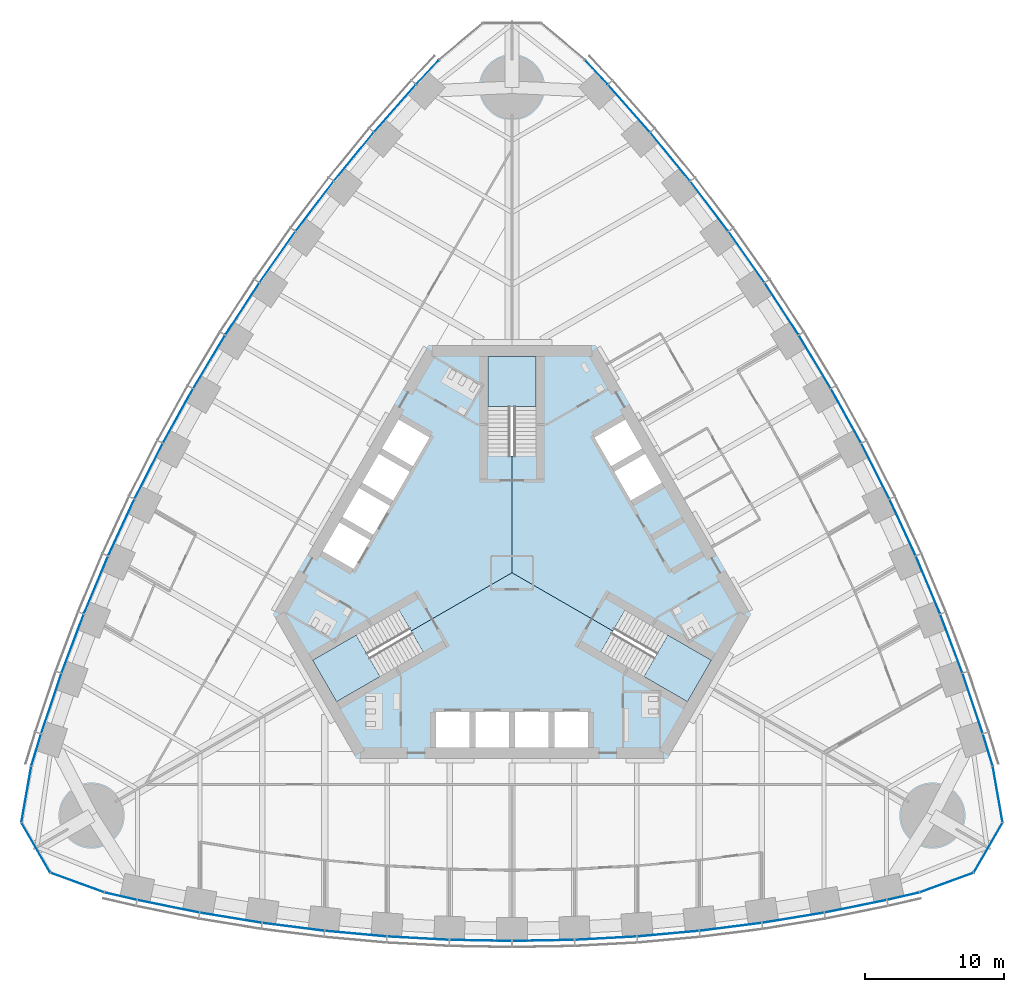
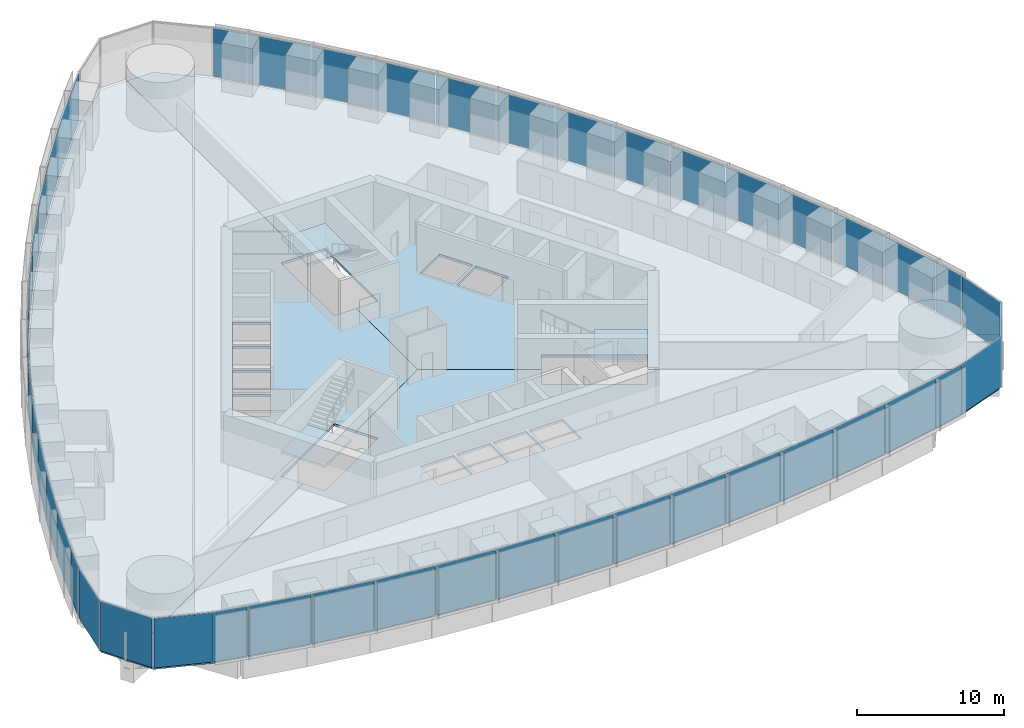
# One storey, part 9 of 18: 48 plates, 6 slabs, 8 elements without a shape of their own.
"""IFC4 building model written with IfcOpenShell, lengths in metres."""

from ifc_helpers import new_model, si_unit, direction, frame, origin, origin_2d, place, context, subcontext, project, spatial, polyline, rectangle, outline, extrude, material, layer, layer_set, type_object, element, aggregate, save


model = new_model("IFC4")

# Units and contexts
model_context = context("Model", 3, precision=1e-05, world=origin(), true_north=direction((0.0, 1.0)))
body_context = subcontext(model_context, "Body", "Model", "MODEL_VIEW")
ifc_project = project(units=[si_unit("LENGTHUNIT", "METRE"), si_unit("AREAUNIT", "SQUARE_METRE"), si_unit("VOLUMEUNIT", "CUBIC_METRE"), si_unit("PLANEANGLEUNIT", "RADIAN"), si_unit("MASSUNIT", "GRAM", prefix="KILO")], contexts=[model_context])

# Site, building, storey
site_placement = place(None, origin())
site = spatial("IfcSite", under=ifc_project, at=site_placement, CompositionType="ELEMENT")
building_placement = place(site_placement, origin())
building = spatial("IfcBuilding", under=site, at=building_placement, Name="Trefoil Bronze Tower", CompositionType="ELEMENT")
storey_placement = place(building_placement, frame((0.0, 0.0, 111.5)))
storey = spatial("IfcBuildingStorey", under=building, at=storey_placement, Name="L25", CompositionType="ELEMENT", Elevation=111.5)

# Curtain wall, plates
ifc_material_1 = material(Name="Tinted solar-control glass", Category="glass")
curtain_wall_type_1 = type_object("IfcCurtainWallType", Name="Bronze office curtain wall", PredefinedType="USERDEFINED", material=ifc_material_1)
curtain_wall_1_placement = place(storey_placement, origin())
curtain_wall_1 = element("IfcCurtainWall", 1, at=curtain_wall_1_placement, inside=storey, type_object=curtain_wall_type_1, Name="CW-A L25 F1", ObjectType="CURTAIN WALL", PredefinedType="USERDEFINED")
ifc_material_2 = material(Name="Tinted solar-control glass", Category="glass")
ifc_layer_1 = layer(ifc_material_2, 0.030029296875)
ifc_layer_set_1 = layer_set([ifc_layer_1], Name="Bronze office curtain wall glass panel")
plate_type_1 = type_object("IfcPlateType", Name="Bronze office curtain wall glass panel", PredefinedType="CURTAIN_PANEL", material=ifc_layer_set_1)
plate_1_placement = place(storey_placement, frame((-28.201416015625, -23.320068359375, 0.0), z_axis=(0.0, 0.0, 1.0), x_axis=(0.97420444715, -0.225667222151, 0.0)))
plate_1 = element("IfcPlate", 2, at=plate_1_placement, type_object=plate_type_1, Name="CW-A L25 F1 panel 1", PredefinedType="CURTAIN_PANEL", context=body_context, shape_type="SweptSolid", body=[
    extrude(rectangle(XDim=2.340087890625, YDim=0.030029296875, at=origin_2d()), origin(), (0.0, 0.0, 1.0), 4.080078125),
])
plate_2_placement = place(storey_placement, frame((-24.769775390625, -24.048828125, 0.0), z_axis=(0.0, 0.0, 1.0), x_axis=(0.980155155547, -0.198231861853, 0.0)))
plate_2 = element("IfcPlate", 3, at=plate_2_placement, type_object=plate_type_1, Name="CW-A L25 F1 panel 2", PredefinedType="CURTAIN_PANEL", context=body_context, shape_type="SweptSolid", body=[
    extrude(rectangle(XDim=4.51123046875, YDim=0.030029296875, at=origin_2d()), origin(), (0.0, 0.0, 1.0), 4.080078125),
])
plate_3_placement = place(storey_placement, frame((-20.26611328125, -24.87451171875, 0.0), z_axis=(0.0, 0.0, 1.0), x_axis=(0.986759655731, -0.162189339418, 0.0)))
plate_3 = element("IfcPlate", 4, at=plate_3_placement, type_object=plate_type_1, Name="CW-A L25 F1 panel 3", PredefinedType="CURTAIN_PANEL", context=body_context, shape_type="SweptSolid", body=[
    extrude(rectangle(XDim=4.48046875, YDim=0.030029296875, at=origin_2d()), origin(), (0.0, 0.0, 1.0), 4.080078125),
])
plate_4_placement = place(storey_placement, frame((-15.7626953125, -25.53076171875, 0.0), z_axis=(0.0, 0.0, 1.0), x_axis=(0.992011554286, -0.126147041833, 0.0)))
plate_4 = element("IfcPlate", 5, at=plate_4_placement, type_object=plate_type_1, Name="CW-A L25 F1 panel 4", PredefinedType="CURTAIN_PANEL", context=body_context, shape_type="SweptSolid", body=[
    extrude(rectangle(XDim=4.456298828125, YDim=0.030029296875, at=origin_2d()), origin(), (0.0, 0.0, 1.0), 4.080078125),
])
plate_5_placement = place(storey_placement, frame((-11.259033203125, -26.02099609375, 0.0), z_axis=(0.0, 0.0, 1.0), x_axis=(0.995932279146, -0.090104913044, 0.0)))
plate_5 = element("IfcPlate", 6, at=plate_5_placement, type_object=plate_type_1, Name="CW-A L25 F1 panel 5", PredefinedType="CURTAIN_PANEL", context=body_context, shape_type="SweptSolid", body=[
    extrude(rectangle(XDim=4.4384765625, YDim=0.030029296875, at=origin_2d()), origin(), (0.0, 0.0, 1.0), 4.080078125),
])
plate_6_placement = place(storey_placement, frame((-6.75537109375, -26.3466796875, 0.0), z_axis=(0.0, 0.0, 1.0), x_axis=(0.998537531923, -0.054062901701, 0.0)))
plate_6 = element("IfcPlate", 7, at=plate_6_placement, type_object=plate_type_1, Name="CW-A L25 F1 panel 6", PredefinedType="CURTAIN_PANEL", context=body_context, shape_type="SweptSolid", body=[
    extrude(rectangle(XDim=4.426513671875, YDim=0.030029296875, at=origin_2d()), origin(), (0.0, 0.0, 1.0), 4.080078125),
])
plate_7_placement = place(storey_placement, frame((-2.251708984375, -26.509033203125, 0.0), z_axis=(0.0, 0.0, 1.0), x_axis=(0.999837609322, -0.018020959612, 0.0)))
plate_7 = element("IfcPlate", 8, at=plate_7_placement, type_object=plate_type_1, Name="CW-A L25 F1 panel 7", PredefinedType="CURTAIN_PANEL", context=body_context, shape_type="SweptSolid", body=[
    extrude(rectangle(XDim=4.420654296875, YDim=0.030029296875, at=origin_2d()), origin(), (0.0, 0.0, 1.0), 4.080078125),
])
plate_8_placement = place(storey_placement, frame((2.251708984375, -26.509033203125, 0.0), z_axis=(0.0, 0.0, 1.0), x_axis=(0.999837609322, 0.018020959612, 0.0)))
plate_8 = element("IfcPlate", 9, at=plate_8_placement, type_object=plate_type_1, Name="CW-A L25 F1 panel 8", PredefinedType="CURTAIN_PANEL", context=body_context, shape_type="SweptSolid", body=[
    extrude(rectangle(XDim=4.420654296875, YDim=0.030029296875, at=origin_2d()), origin(), (0.0, 0.0, 1.0), 4.080078125),
])
plate_9_placement = place(storey_placement, frame((6.75537109375, -26.3466796875, 0.0), z_axis=(0.0, 0.0, 1.0), x_axis=(0.998537531923, 0.054062901701, 0.0)))
plate_9 = element("IfcPlate", 10, at=plate_9_placement, type_object=plate_type_1, Name="CW-A L25 F1 panel 9", PredefinedType="CURTAIN_PANEL", context=body_context, shape_type="SweptSolid", body=[
    extrude(rectangle(XDim=4.426513671875, YDim=0.030029296875, at=origin_2d()), origin(), (0.0, 0.0, 1.0), 4.080078125),
])
plate_10_placement = place(storey_placement, frame((11.259033203125, -26.02099609375, 0.0), z_axis=(0.0, 0.0, 1.0), x_axis=(0.995932279146, 0.090104913044, 0.0)))
plate_10 = element("IfcPlate", 11, at=plate_10_placement, type_object=plate_type_1, Name="CW-A L25 F1 panel 10", PredefinedType="CURTAIN_PANEL", context=body_context, shape_type="SweptSolid", body=[
    extrude(rectangle(XDim=4.4384765625, YDim=0.030029296875, at=origin_2d()), origin(), (0.0, 0.0, 1.0), 4.080078125),
])
plate_11_placement = place(storey_placement, frame((15.7626953125, -25.53076171875, 0.0), z_axis=(0.0, 0.0, 1.0), x_axis=(0.992011554286, 0.126147041833, 0.0)))
plate_11 = element("IfcPlate", 12, at=plate_11_placement, type_object=plate_type_1, Name="CW-A L25 F1 panel 11", PredefinedType="CURTAIN_PANEL", context=body_context, shape_type="SweptSolid", body=[
    extrude(rectangle(XDim=4.456298828125, YDim=0.030029296875, at=origin_2d()), origin(), (0.0, 0.0, 1.0), 4.080078125),
])
plate_12_placement = place(storey_placement, frame((20.26611328125, -24.87451171875, 0.0), z_axis=(0.0, 0.0, 1.0), x_axis=(0.986759655731, 0.162189339418, 0.0)))
plate_12 = element("IfcPlate", 13, at=plate_12_placement, type_object=plate_type_1, Name="CW-A L25 F1 panel 12", PredefinedType="CURTAIN_PANEL", context=body_context, shape_type="SweptSolid", body=[
    extrude(rectangle(XDim=4.48046875, YDim=0.030029296875, at=origin_2d()), origin(), (0.0, 0.0, 1.0), 4.080078125),
])
plate_13_placement = place(storey_placement, frame((24.769775390625, -24.048828125, 0.0), z_axis=(0.0, 0.0, 1.0), x_axis=(0.980155155547, 0.198231861853, 0.0)))
plate_13 = element("IfcPlate", 14, at=plate_13_placement, type_object=plate_type_1, Name="CW-A L25 F1 panel 13", PredefinedType="CURTAIN_PANEL", context=body_context, shape_type="SweptSolid", body=[
    extrude(rectangle(XDim=4.51123046875, YDim=0.030029296875, at=origin_2d()), origin(), (0.0, 0.0, 1.0), 4.080078125),
])
plate_14_placement = place(storey_placement, frame((28.201416015625, -23.320068359375, 0.0), z_axis=(0.0, 0.0, 1.0), x_axis=(0.97420444715, 0.225667222151, 0.0)))
plate_14 = element("IfcPlate", 15, at=plate_14_placement, type_object=plate_type_1, Name="CW-A L25 F1 panel 14", PredefinedType="CURTAIN_PANEL", context=body_context, shape_type="SweptSolid", body=[
    extrude(rectangle(XDim=2.340087890625, YDim=0.030029296875, at=origin_2d()), origin(), (0.0, 0.0, 1.0), 4.080078125),
])
aggregate(curtain_wall_1, [plate_1, plate_2, plate_3, plate_4, plate_5, plate_6, plate_7, plate_8, plate_9, plate_10, plate_11, plate_12, plate_13, plate_14])

curtain_wall_2_placement = place(storey_placement, origin())
curtain_wall_2 = element("IfcCurtainWall", 16, at=curtain_wall_2_placement, inside=storey, type_object=curtain_wall_type_1, Name="CW-A L25 F2", ObjectType="CURTAIN WALL", PredefinedType="USERDEFINED")
plate_15_placement = place(storey_placement, frame((34.296630859375, -12.762939453125, 0.0), z_axis=(0.0, 0.0, 1.0), x_axis=(-0.291668676391, 0.956519410787, 0.0)))
plate_15 = element("IfcPlate", 17, at=plate_15_placement, type_object=plate_type_1, Name="CW-A L25 F2 panel 1", PredefinedType="CURTAIN_PANEL", context=body_context, shape_type="SweptSolid", body=[
    extrude(rectangle(XDim=2.340087890625, YDim=0.030029296875, at=origin_2d()), origin(), (0.0, 0.0, 1.0), 4.080078125),
])
plate_16_placement = place(storey_placement, frame((33.2119140625, -9.4267578125, 0.0), z_axis=(0.0, 0.0, 1.0), x_axis=(-0.318403749569, 0.947955195281, 0.0)))
plate_16 = element("IfcPlate", 18, at=plate_16_placement, type_object=plate_type_1, Name="CW-A L25 F2 panel 2", PredefinedType="CURTAIN_PANEL", context=body_context, shape_type="SweptSolid", body=[
    extrude(rectangle(XDim=4.51123046875, YDim=0.030029296875, at=origin_2d()), origin(), (0.0, 0.0, 1.0), 4.080078125),
])
plate_17_placement = place(storey_placement, frame((31.675048828125, -5.11376953125, 0.0), z_axis=(0.0, 0.0, 1.0), x_axis=(-0.352919739707, 0.935653599002, 0.0)))
plate_17 = element("IfcPlate", 19, at=plate_17_placement, type_object=plate_type_1, Name="CW-A L25 F2 panel 3", PredefinedType="CURTAIN_PANEL", context=body_context, shape_type="SweptSolid", body=[
    extrude(rectangle(XDim=4.48046875, YDim=0.030029296875, at=origin_2d()), origin(), (0.0, 0.0, 1.0), 4.080078125),
])
plate_18_placement = place(storey_placement, frame((29.99169921875, -0.885498046875, 0.0), z_axis=(0.0, 0.0, 1.0), x_axis=(-0.386759234303, 0.922180727776, 0.0)))
plate_18 = element("IfcPlate", 20, at=plate_18_placement, type_object=plate_type_1, Name="CW-A L25 F2 panel 4", PredefinedType="CURTAIN_PANEL", context=body_context, shape_type="SweptSolid", body=[
    extrude(rectangle(XDim=4.456298828125, YDim=0.030029296875, at=origin_2d()), origin(), (0.0, 0.0, 1.0), 4.080078125),
])
plate_19_placement = place(storey_placement, frame((28.164306640625, 3.260009765625, 0.0), z_axis=(0.0, 0.0, 1.0), x_axis=(-0.419932995871, 0.907555110712, 0.0)))
plate_19 = element("IfcPlate", 21, at=plate_19_placement, type_object=plate_type_1, Name="CW-A L25 F2 panel 5", PredefinedType="CURTAIN_PANEL", context=body_context, shape_type="SweptSolid", body=[
    extrude(rectangle(XDim=4.4384765625, YDim=0.030029296875, at=origin_2d()), origin(), (0.0, 0.0, 1.0), 4.080078125),
])
plate_20_placement = place(storey_placement, frame((26.194580078125, 7.322998046875, 0.0), z_axis=(0.0, 0.0, 1.0), x_axis=(-0.452448919686, 0.891790320128, 0.0)))
plate_20 = element("IfcPlate", 22, at=plate_20_placement, type_object=plate_type_1, Name="CW-A L25 F2 panel 6", PredefinedType="CURTAIN_PANEL", context=body_context, shape_type="SweptSolid", body=[
    extrude(rectangle(XDim=4.426513671875, YDim=0.030029296875, at=origin_2d()), origin(), (0.0, 0.0, 1.0), 4.080078125),
])
plate_21_placement = place(storey_placement, frame((24.08349609375, 11.304443359375, 0.0), z_axis=(0.0, 0.0, 1.0), x_axis=(-0.484312195836, 0.874895249138, 0.0)))
plate_21 = element("IfcPlate", 23, at=plate_21_placement, type_object=plate_type_1, Name="CW-A L25 F2 panel 7", PredefinedType="CURTAIN_PANEL", context=body_context, shape_type="SweptSolid", body=[
    extrude(rectangle(XDim=4.420654296875, YDim=0.030029296875, at=origin_2d()), origin(), (0.0, 0.0, 1.0), 4.080078125),
])
plate_22_placement = place(storey_placement, frame((21.83154296875, 15.20458984375, 0.0), z_axis=(0.0, 0.0, 1.0), x_axis=(-0.515525413486, 0.856874289526, 0.0)))
plate_22 = element("IfcPlate", 24, at=plate_22_placement, type_object=plate_type_1, Name="CW-A L25 F2 panel 8", PredefinedType="CURTAIN_PANEL", context=body_context, shape_type="SweptSolid", body=[
    extrude(rectangle(XDim=4.420654296875, YDim=0.030029296875, at=origin_2d()), origin(), (0.0, 0.0, 1.0), 4.080078125),
])
plate_23_placement = place(storey_placement, frame((19.439208984375, 19.023681640625, 0.0), z_axis=(0.0, 0.0, 1.0), x_axis=(-0.546088612237, 0.837727418427, 0.0)))
plate_23 = element("IfcPlate", 25, at=plate_23_placement, type_object=plate_type_1, Name="CW-A L25 F2 panel 9", PredefinedType="CURTAIN_PANEL", context=body_context, shape_type="SweptSolid", body=[
    extrude(rectangle(XDim=4.426513671875, YDim=0.030029296875, at=origin_2d()), origin(), (0.0, 0.0, 1.0), 4.080078125),
])
plate_24_placement = place(storey_placement, frame((16.9052734375, 22.760986328125, 0.0), z_axis=(0.0, 0.0, 1.0), x_axis=(-0.575999283275, 0.817450197667, 0.0)))
plate_24 = element("IfcPlate", 26, at=plate_24_placement, type_object=plate_type_1, Name="CW-A L25 F2 panel 10", PredefinedType="CURTAIN_PANEL", context=body_context, shape_type="SweptSolid", body=[
    extrude(rectangle(XDim=4.4384765625, YDim=0.030029296875, at=origin_2d()), origin(), (0.0, 0.0, 1.0), 4.080078125),
])
plate_25_placement = place(storey_placement, frame((14.22900390625, 26.416259765625, 0.0), z_axis=(0.0, 0.0, 1.0), x_axis=(-0.605252319983, 0.796033685943, 0.0)))
plate_25 = element("IfcPlate", 27, at=plate_25_placement, type_object=plate_type_1, Name="CW-A L25 F2 panel 11", PredefinedType="CURTAIN_PANEL", context=body_context, shape_type="SweptSolid", body=[
    extrude(rectangle(XDim=4.456298828125, YDim=0.030029296875, at=origin_2d()), origin(), (0.0, 0.0, 1.0), 4.080078125),
])
plate_26_placement = place(storey_placement, frame((11.40869140625, 29.98828125, 0.0), z_axis=(0.0, 0.0, 1.0), x_axis=(-0.633839916024, 0.773464259584, 0.0)))
plate_26 = element("IfcPlate", 28, at=plate_26_placement, type_object=plate_type_1, Name="CW-A L25 F2 panel 12", PredefinedType="CURTAIN_PANEL", context=body_context, shape_type="SweptSolid", body=[
    extrude(rectangle(XDim=4.48046875, YDim=0.030029296875, at=origin_2d()), origin(), (0.0, 0.0, 1.0), 4.080078125),
])
plate_27_placement = place(storey_placement, frame((8.442138671875, 33.475830078125, 0.0), z_axis=(0.0, 0.0, 1.0), x_axis=(-0.661751405978, 0.749723333428, 0.0)))
plate_27 = element("IfcPlate", 29, at=plate_27_placement, type_object=plate_type_1, Name="CW-A L25 F2 panel 13", PredefinedType="CURTAIN_PANEL", context=body_context, shape_type="SweptSolid", body=[
    extrude(rectangle(XDim=4.51123046875, YDim=0.030029296875, at=origin_2d()), origin(), (0.0, 0.0, 1.0), 4.080078125),
])
plate_28_placement = place(storey_placement, frame((6.09521484375, 36.083251953125, 0.0), z_axis=(0.0, 0.0, 1.0), x_axis=(-0.682535770759, 0.730852188636, 0.0)))
plate_28 = element("IfcPlate", 30, at=plate_28_placement, type_object=plate_type_1, Name="CW-A L25 F2 panel 14", PredefinedType="CURTAIN_PANEL", context=body_context, shape_type="SweptSolid", body=[
    extrude(rectangle(XDim=2.340087890625, YDim=0.030029296875, at=origin_2d()), origin(), (0.0, 0.0, 1.0), 4.080078125),
])
aggregate(curtain_wall_2, [plate_15, plate_16, plate_17, plate_18, plate_19, plate_20, plate_21, plate_22, plate_23, plate_24, plate_25, plate_26, plate_27, plate_28])

curtain_wall_3_placement = place(storey_placement, origin())
curtain_wall_3 = element("IfcCurtainWall", 31, at=curtain_wall_3_placement, inside=storey, type_object=curtain_wall_type_1, Name="CW-A L25 F3", ObjectType="CURTAIN WALL", PredefinedType="USERDEFINED")
plate_29_placement = place(storey_placement, frame((-6.09521484375, 36.083251953125, 0.0), z_axis=(0.0, 0.0, 1.0), x_axis=(-0.682535770759, -0.730852188636, 0.0)))
plate_29 = element("IfcPlate", 32, at=plate_29_placement, type_object=plate_type_1, Name="CW-A L25 F3 panel 1", PredefinedType="CURTAIN_PANEL", context=body_context, shape_type="SweptSolid", body=[
    extrude(rectangle(XDim=2.340087890625, YDim=0.030029296875, at=origin_2d()), origin(), (0.0, 0.0, 1.0), 4.080078125),
])
plate_30_placement = place(storey_placement, frame((-8.442138671875, 33.475830078125, 0.0), z_axis=(0.0, 0.0, 1.0), x_axis=(-0.661751405978, -0.749723333428, 0.0)))
plate_30 = element("IfcPlate", 33, at=plate_30_placement, type_object=plate_type_1, Name="CW-A L25 F3 panel 2", PredefinedType="CURTAIN_PANEL", context=body_context, shape_type="SweptSolid", body=[
    extrude(rectangle(XDim=4.51123046875, YDim=0.030029296875, at=origin_2d()), origin(), (0.0, 0.0, 1.0), 4.080078125),
])
plate_31_placement = place(storey_placement, frame((-11.40869140625, 29.98828125, 0.0), z_axis=(0.0, 0.0, 1.0), x_axis=(-0.633839916024, -0.773464259584, 0.0)))
plate_31 = element("IfcPlate", 34, at=plate_31_placement, type_object=plate_type_1, Name="CW-A L25 F3 panel 3", PredefinedType="CURTAIN_PANEL", context=body_context, shape_type="SweptSolid", body=[
    extrude(rectangle(XDim=4.48046875, YDim=0.030029296875, at=origin_2d()), origin(), (0.0, 0.0, 1.0), 4.080078125),
])
plate_32_placement = place(storey_placement, frame((-14.22900390625, 26.416259765625, 0.0), z_axis=(0.0, 0.0, 1.0), x_axis=(-0.605252319983, -0.796033685943, 0.0)))
plate_32 = element("IfcPlate", 35, at=plate_32_placement, type_object=plate_type_1, Name="CW-A L25 F3 panel 4", PredefinedType="CURTAIN_PANEL", context=body_context, shape_type="SweptSolid", body=[
    extrude(rectangle(XDim=4.456298828125, YDim=0.030029296875, at=origin_2d()), origin(), (0.0, 0.0, 1.0), 4.080078125),
])
plate_33_placement = place(storey_placement, frame((-16.9052734375, 22.760986328125, 0.0), z_axis=(0.0, 0.0, 1.0), x_axis=(-0.575999283275, -0.817450197667, 0.0)))
plate_33 = element("IfcPlate", 36, at=plate_33_placement, type_object=plate_type_1, Name="CW-A L25 F3 panel 5", PredefinedType="CURTAIN_PANEL", context=body_context, shape_type="SweptSolid", body=[
    extrude(rectangle(XDim=4.4384765625, YDim=0.030029296875, at=origin_2d()), origin(), (0.0, 0.0, 1.0), 4.080078125),
])
plate_34_placement = place(storey_placement, frame((-19.439208984375, 19.023681640625, 0.0), z_axis=(0.0, 0.0, 1.0), x_axis=(-0.546088612237, -0.837727418427, 0.0)))
plate_34 = element("IfcPlate", 37, at=plate_34_placement, type_object=plate_type_1, Name="CW-A L25 F3 panel 6", PredefinedType="CURTAIN_PANEL", context=body_context, shape_type="SweptSolid", body=[
    extrude(rectangle(XDim=4.426513671875, YDim=0.030029296875, at=origin_2d()), origin(), (0.0, 0.0, 1.0), 4.080078125),
])
plate_35_placement = place(storey_placement, frame((-21.83154296875, 15.20458984375, 0.0), z_axis=(0.0, 0.0, 1.0), x_axis=(-0.515525413486, -0.856874289526, 0.0)))
plate_35 = element("IfcPlate", 38, at=plate_35_placement, type_object=plate_type_1, Name="CW-A L25 F3 panel 7", PredefinedType="CURTAIN_PANEL", context=body_context, shape_type="SweptSolid", body=[
    extrude(rectangle(XDim=4.420654296875, YDim=0.030029296875, at=origin_2d()), origin(), (0.0, 0.0, 1.0), 4.080078125),
])
plate_36_placement = place(storey_placement, frame((-24.08349609375, 11.304443359375, 0.0), z_axis=(0.0, 0.0, 1.0), x_axis=(-0.484312195836, -0.874895249138, 0.0)))
plate_36 = element("IfcPlate", 39, at=plate_36_placement, type_object=plate_type_1, Name="CW-A L25 F3 panel 8", PredefinedType="CURTAIN_PANEL", context=body_context, shape_type="SweptSolid", body=[
    extrude(rectangle(XDim=4.420654296875, YDim=0.030029296875, at=origin_2d()), origin(), (0.0, 0.0, 1.0), 4.080078125),
])
plate_37_placement = place(storey_placement, frame((-26.194580078125, 7.322998046875, 0.0), z_axis=(0.0, 0.0, 1.0), x_axis=(-0.452448919686, -0.891790320128, 0.0)))
plate_37 = element("IfcPlate", 40, at=plate_37_placement, type_object=plate_type_1, Name="CW-A L25 F3 panel 9", PredefinedType="CURTAIN_PANEL", context=body_context, shape_type="SweptSolid", body=[
    extrude(rectangle(XDim=4.426513671875, YDim=0.030029296875, at=origin_2d()), origin(), (0.0, 0.0, 1.0), 4.080078125),
])
plate_38_placement = place(storey_placement, frame((-28.164306640625, 3.260009765625, 0.0), z_axis=(0.0, 0.0, 1.0), x_axis=(-0.419932995871, -0.907555110712, 0.0)))
plate_38 = element("IfcPlate", 41, at=plate_38_placement, type_object=plate_type_1, Name="CW-A L25 F3 panel 10", PredefinedType="CURTAIN_PANEL", context=body_context, shape_type="SweptSolid", body=[
    extrude(rectangle(XDim=4.4384765625, YDim=0.030029296875, at=origin_2d()), origin(), (0.0, 0.0, 1.0), 4.080078125),
])
plate_39_placement = place(storey_placement, frame((-29.99169921875, -0.885498046875, 0.0), z_axis=(0.0, 0.0, 1.0), x_axis=(-0.386759234303, -0.922180727776, 0.0)))
plate_39 = element("IfcPlate", 42, at=plate_39_placement, type_object=plate_type_1, Name="CW-A L25 F3 panel 11", PredefinedType="CURTAIN_PANEL", context=body_context, shape_type="SweptSolid", body=[
    extrude(rectangle(XDim=4.456298828125, YDim=0.030029296875, at=origin_2d()), origin(), (0.0, 0.0, 1.0), 4.080078125),
])
plate_40_placement = place(storey_placement, frame((-31.675048828125, -5.11376953125, 0.0), z_axis=(0.0, 0.0, 1.0), x_axis=(-0.352919739707, -0.935653599002, 0.0)))
plate_40 = element("IfcPlate", 43, at=plate_40_placement, type_object=plate_type_1, Name="CW-A L25 F3 panel 12", PredefinedType="CURTAIN_PANEL", context=body_context, shape_type="SweptSolid", body=[
    extrude(rectangle(XDim=4.48046875, YDim=0.030029296875, at=origin_2d()), origin(), (0.0, 0.0, 1.0), 4.080078125),
])
plate_41_placement = place(storey_placement, frame((-33.2119140625, -9.4267578125, 0.0), z_axis=(0.0, 0.0, 1.0), x_axis=(-0.318403749569, -0.947955195281, 0.0)))
plate_41 = element("IfcPlate", 44, at=plate_41_placement, type_object=plate_type_1, Name="CW-A L25 F3 panel 13", PredefinedType="CURTAIN_PANEL", context=body_context, shape_type="SweptSolid", body=[
    extrude(rectangle(XDim=4.51123046875, YDim=0.030029296875, at=origin_2d()), origin(), (0.0, 0.0, 1.0), 4.080078125),
])
plate_42_placement = place(storey_placement, frame((-34.296630859375, -12.762939453125, 0.0), z_axis=(0.0, 0.0, 1.0), x_axis=(-0.291668676391, -0.956519410787, 0.0)))
plate_42 = element("IfcPlate", 45, at=plate_42_placement, type_object=plate_type_1, Name="CW-A L25 F3 panel 14", PredefinedType="CURTAIN_PANEL", context=body_context, shape_type="SweptSolid", body=[
    extrude(rectangle(XDim=2.340087890625, YDim=0.030029296875, at=origin_2d()), origin(), (0.0, 0.0, 1.0), 4.080078125),
])
aggregate(curtain_wall_3, [plate_29, plate_30, plate_31, plate_32, plate_33, plate_34, plate_35, plate_36, plate_37, plate_38, plate_39, plate_40, plate_41, plate_42])

ifc_material_3 = material(Name="Tinted solar-control glass", Category="glass")
curtain_wall_type_2 = type_object("IfcCurtainWallType", Name="Bronze rounded corner curtain wall", PredefinedType="USERDEFINED", material=ifc_material_3)
curtain_wall_4_placement = place(storey_placement, origin())
curtain_wall_4 = element("IfcCurtainWall", 46, at=curtain_wall_4_placement, inside=storey, type_object=curtain_wall_type_2, Name="CW-B L25 K1", ObjectType="CURTAIN WALL", PredefinedType="USERDEFINED")
ifc_material_4 = material(Name="Tinted solar-control glass", Category="glass")
ifc_layer_2 = layer(ifc_material_4, 0.030029296875)
ifc_layer_set_2 = layer_set([ifc_layer_2], Name="Bronze rounded corner curtain wall glass panel")
plate_type_2 = type_object("IfcPlateType", Name="Bronze rounded corner curtain wall glass panel", PredefinedType="CURTAIN_PANEL", material=ifc_layer_set_2)
plate_43_placement = place(storey_placement, frame((31.3203125, -22.341796875, 0.0), z_axis=(0.0, 0.0, 1.0), x_axis=(0.939692620786, 0.342020143326, 0.0)))
plate_43 = element("IfcPlate", 47, at=plate_43_placement, type_object=plate_type_2, Name="CW-B L25 K1 panel 1", PredefinedType="CURTAIN_PANEL", context=body_context, shape_type="SweptSolid", body=[
    extrude(rectangle(XDim=4.044189453125, YDim=0.030029296875, at=origin_2d()), origin(), (0.0, 0.0, 1.0), 4.080078125),
])
plate_44_placement = place(storey_placement, frame((34.3271484375, -19.81884765625, 0.0), z_axis=(0.0, 0.0, 1.0), x_axis=(0.5, 0.866025403784, 0.0)))
plate_44 = element("IfcPlate", 48, at=plate_44_placement, type_object=plate_type_2, Name="CW-B L25 K1 panel 2", PredefinedType="CURTAIN_PANEL", context=body_context, shape_type="SweptSolid", body=[
    extrude(rectangle(XDim=4.044189453125, YDim=0.030029296875, at=origin_2d()), origin(), (0.0, 0.0, 1.0), 4.080078125),
])
plate_45_placement = place(storey_placement, frame((35.0087890625, -15.953369140625, 0.0), z_axis=(0.0, 0.0, 1.0), x_axis=(-0.173648177667, 0.984807753012, 0.0)))
plate_45 = element("IfcPlate", 49, at=plate_45_placement, type_object=plate_type_2, Name="CW-B L25 K1 panel 3", PredefinedType="CURTAIN_PANEL", context=body_context, shape_type="SweptSolid", body=[
    extrude(rectangle(XDim=4.044189453125, YDim=0.030029296875, at=origin_2d()), origin(), (0.0, 0.0, 1.0), 4.080078125),
])
aggregate(curtain_wall_4, [plate_43, plate_44, plate_45])

curtain_wall_5_placement = place(storey_placement, origin())
curtain_wall_5 = element("IfcCurtainWall", 50, at=curtain_wall_5_placement, inside=storey, type_object=curtain_wall_type_2, Name="CW-B L25 K3", ObjectType="CURTAIN WALL", PredefinedType="USERDEFINED")
plate_46_placement = place(storey_placement, frame((-35.0087890625, -15.953369140625, 0.0), z_axis=(0.0, 0.0, 1.0), x_axis=(-0.173648177667, -0.984807753012, 0.0)))
plate_46 = element("IfcPlate", 51, at=plate_46_placement, type_object=plate_type_2, Name="CW-B L25 K3 panel 1", PredefinedType="CURTAIN_PANEL", context=body_context, shape_type="SweptSolid", body=[
    extrude(rectangle(XDim=4.044189453125, YDim=0.030029296875, at=origin_2d()), origin(), (0.0, 0.0, 1.0), 4.080078125),
])
plate_47_placement = place(storey_placement, frame((-34.3271484375, -19.81884765625, 0.0), z_axis=(0.0, 0.0, 1.0), x_axis=(0.5, -0.866025403784, 0.0)))
plate_47 = element("IfcPlate", 52, at=plate_47_placement, type_object=plate_type_2, Name="CW-B L25 K3 panel 2", PredefinedType="CURTAIN_PANEL", context=body_context, shape_type="SweptSolid", body=[
    extrude(rectangle(XDim=4.044189453125, YDim=0.030029296875, at=origin_2d()), origin(), (0.0, 0.0, 1.0), 4.080078125),
])
plate_48_placement = place(storey_placement, frame((-31.3203125, -22.341796875, 0.0), z_axis=(0.0, 0.0, 1.0), x_axis=(0.939692620786, -0.342020143326, 0.0)))
plate_48 = element("IfcPlate", 53, at=plate_48_placement, type_object=plate_type_2, Name="CW-B L25 K3 panel 3", PredefinedType="CURTAIN_PANEL", context=body_context, shape_type="SweptSolid", body=[
    extrude(rectangle(XDim=4.044189453125, YDim=0.030029296875, at=origin_2d()), origin(), (0.0, 0.0, 1.0), 4.080078125),
])
aggregate(curtain_wall_5, [plate_46, plate_47, plate_48])

# Slabs
ifc_material_5 = material(Name="Concrete B30", Category="concrete")
ifc_layer_3 = layer(ifc_material_5, 0.199951171875)
ifc_layer_set_3 = layer_set([ifc_layer_3], Name="Floor slab 200")
slab_type_1 = type_object("IfcSlabType", Name="Floor slab 200", PredefinedType="FLOOR", material=ifc_layer_set_3)
slab_1_placement = place(storey_placement, frame((0.0, 0.0, -0.199951171875)))
element("IfcSlab", 54, at=slab_1_placement, inside=storey, type_object=slab_type_1, Name="Floor slab L25 face 1", PredefinedType="FLOOR", context=body_context, shape_type="SweptSolid", body=[
    extrude(outline(polyline([(22.5, -24.406005859375), (18.0, -25.1455078125), (13.5, -25.7177734375), (9.0, -26.125), (4.5, -26.36865234375), (0.0, -26.44970703125), (-4.5, -26.36865234375), (-9.0, -26.125), (-13.5, -25.7177734375), (-18.0, -25.1455078125), (-22.5, -24.406005859375), (-27.0, -23.495849609375), (-29.357666015625, -22.94970703125), (-33.21435546875, -21.5458984375), (-34.240478515625, -19.768798828125), (-13.510009765625, -7.800048828125), (-12.6474609375, -9.2939453125), (-6.412109375, -5.69384765625), (-7.274658203125, -4.199951171875), (0.0, 0.0), (7.274658203125, -4.199951171875), (6.412109375, -5.69384765625), (12.6474609375, -9.2939453125), (13.510009765625, -7.800048828125), (34.240478515625, -19.768798828125), (33.21435546875, -21.5458984375), (29.357666015625, -22.94970703125), (27.0, -23.495849609375), (22.5, -24.406005859375)]), holes=[polyline([(-5.574951171875, -10.02490234375), (-2.97509765625, -10.02490234375), (-2.97509765625, -12.60009765625), (-5.574951171875, -12.60009765625), (-5.574951171875, -10.02490234375)]), polyline([(-2.72509765625, -10.02490234375), (-0.125, -10.02490234375), (-0.125, -12.60009765625), (-2.72509765625, -12.60009765625), (-2.72509765625, -10.02490234375)]), polyline([(0.125, -10.02490234375), (2.72509765625, -10.02490234375), (2.72509765625, -12.60009765625), (0.125, -12.60009765625), (0.125, -10.02490234375)]), polyline([(2.97509765625, -10.02490234375), (5.574951171875, -10.02490234375), (5.574951171875, -12.60009765625), (2.97509765625, -12.60009765625), (2.97509765625, -10.02490234375)])]), origin(), (0.0, 0.0, 1.0), 0.199951171875),
])
slab_2_placement = place(storey_placement, frame((0.0, 0.0, -0.199951171875)))
element("IfcSlab", 55, at=slab_2_placement, inside=storey, type_object=slab_type_1, Name="Floor slab L25 face 2", PredefinedType="FLOOR", context=body_context, shape_type="SweptSolid", body=[
    extrude(outline(polyline([(9.88623046875, 31.6884765625), (12.776611328125, 28.1611328125), (15.522216796875, 24.55029296875), (18.124755859375, 20.856689453125), (20.5859375, 17.081298828125), (22.906005859375, 13.224853515625), (25.0859375, 9.287109375), (27.124755859375, 5.268310546875), (29.022216796875, 1.16748046875), (30.776611328125, -3.015625), (32.38623046875, -7.28271484375), (33.847900390625, -11.634765625), (34.553955078125, -13.94970703125), (35.2666015625, -17.991455078125), (34.240478515625, -19.768798828125), (13.510009765625, -7.800048828125), (14.37255859375, -6.30615234375), (8.13720703125, -2.7060546875), (7.274658203125, -4.199951171875), (0.0, 0.0), (0.0, 8.39990234375), (1.72509765625, 8.39990234375), (1.72509765625, 15.60009765625), (0.0, 15.60009765625), (0.0, 39.53759765625), (2.052001953125, 39.53759765625), (5.196044921875, 36.8994140625), (6.847900390625, 35.130615234375), (9.88623046875, 31.6884765625)]), holes=[polyline([(8.619384765625, 5.120849609375), (7.3193359375, 7.372314453125), (9.54931640625, 8.659912109375), (10.849365234375, 6.408203125), (8.619384765625, 5.120849609375)]), polyline([(7.1943359375, 7.5888671875), (5.894287109375, 9.840576171875), (8.12451171875, 11.128173828125), (9.42431640625, 8.87646484375), (7.1943359375, 7.5888671875)])]), origin(), (0.0, 0.0, 1.0), 0.199951171875),
])
slab_3_placement = place(storey_placement, frame((0.0, 0.0, -0.199951171875)))
element("IfcSlab", 56, at=slab_3_placement, inside=storey, type_object=slab_type_1, Name="Floor slab L25 face 3", PredefinedType="FLOOR", context=body_context, shape_type="SweptSolid", body=[
    extrude(outline(polyline([(-32.38623046875, -7.28271484375), (-30.776611328125, -3.015625), (-29.022216796875, 1.16748046875), (-27.124755859375, 5.268310546875), (-25.0859375, 9.287109375), (-22.906005859375, 13.224853515625), (-20.5859375, 17.081298828125), (-18.124755859375, 20.856689453125), (-15.522216796875, 24.55029296875), (-12.776611328125, 28.1611328125), (-9.88623046875, 31.6884765625), (-6.847900390625, 35.130615234375), (-5.196044921875, 36.8994140625), (-2.052001953125, 39.53759765625), (0.0, 39.53759765625), (0.0, 15.60009765625), (-1.72509765625, 15.60009765625), (-1.72509765625, 8.39990234375), (0.0, 8.39990234375), (0.0, 0.0), (-7.274658203125, -4.199951171875), (-8.13720703125, -2.7060546875), (-14.37255859375, -6.30615234375), (-13.510009765625, -7.800048828125), (-34.240478515625, -19.768798828125), (-35.2666015625, -17.991455078125), (-34.553955078125, -13.94970703125), (-33.847900390625, -11.634765625), (-32.38623046875, -7.28271484375)]), holes=[polyline([(-5.894287109375, 9.840576171875), (-7.1943359375, 7.5888671875), (-9.42431640625, 8.87646484375), (-8.12451171875, 11.128173828125), (-5.894287109375, 9.840576171875)]), polyline([(-7.3193359375, 7.372314453125), (-8.619384765625, 5.120849609375), (-10.849365234375, 6.408203125), (-9.54931640625, 8.659912109375), (-7.3193359375, 7.372314453125)]), polyline([(-8.744384765625, 4.904296875), (-10.04443359375, 2.652587890625), (-12.2744140625, 3.940185546875), (-10.974365234375, 6.191650390625), (-8.744384765625, 4.904296875)]), polyline([(-10.16943359375, 2.43603515625), (-11.469482421875, 0.184326171875), (-13.699462890625, 1.471923828125), (-12.3994140625, 3.7236328125), (-10.16943359375, 2.43603515625)])]), origin(), (0.0, 0.0, 1.0), 0.199951171875),
])

# Stair, slab
ifc_material_6 = material(Name="Precast concrete B80", Category="concrete")
stair_type = type_object("IfcStairType", Name="Exit stair 26 risers", PredefinedType="HALF_TURN_STAIR", material=ifc_material_6)
stair_1_placement = place(storey_placement, origin())
stair_1 = element("IfcStair", 57, at=stair_1_placement, inside=storey, type_object=stair_type, Name="Stair ST1 L25", PredefinedType="HALF_TURN_STAIR")
ifc_material_7 = material(Name="Concrete B30", Category="concrete")
ifc_layer_4 = layer(ifc_material_7, 0.199951171875)
ifc_layer_set_4 = layer_set([ifc_layer_4], Name="Stair landing 200")
slab_type_2 = type_object("IfcSlabType", Name="Stair landing 200", PredefinedType="LANDING", material=ifc_layer_set_4)
slab_4_placement = place(storey_placement, frame((0.0, 0.0, 1.89990234375)))
slab_4 = element("IfcSlab", 58, at=slab_4_placement, type_object=slab_type_2, Name="ST1 landing 1", PredefinedType="LANDING", context=body_context, shape_type="SweptSolid", body=[
    extrude(outline(polyline([(9.512451171875, -7.48388671875), (12.6474609375, -9.2939453125), (14.37255859375, -6.30615234375), (11.237548828125, -4.49609375), (9.512451171875, -7.48388671875)])), origin(), (0.0, 0.0, 1.0), 0.2001953125),
])
aggregate(stair_1, [slab_4])

stair_2_placement = place(storey_placement, origin())
stair_2 = element("IfcStair", 59, at=stair_2_placement, inside=storey, type_object=stair_type, Name="Stair ST2 L25", PredefinedType="HALF_TURN_STAIR")
slab_5_placement = place(storey_placement, frame((0.0, 0.0, 1.89990234375)))
slab_5 = element("IfcSlab", 60, at=slab_5_placement, type_object=slab_type_2, Name="ST2 landing 1", PredefinedType="LANDING", context=body_context, shape_type="SweptSolid", body=[
    extrude(outline(polyline([(1.72509765625, 11.97998046875), (1.72509765625, 15.60009765625), (-1.72509765625, 15.60009765625), (-1.72509765625, 11.97998046875), (1.72509765625, 11.97998046875)])), origin(), (0.0, 0.0, 1.0), 0.2001953125),
])
aggregate(stair_2, [slab_5])

stair_3_placement = place(storey_placement, origin())
stair_3 = element("IfcStair", 61, at=stair_3_placement, inside=storey, type_object=stair_type, Name="Stair ST3 L25", PredefinedType="HALF_TURN_STAIR")
slab_6_placement = place(storey_placement, frame((0.0, 0.0, 1.89990234375)))
slab_6 = element("IfcSlab", 62, at=slab_6_placement, type_object=slab_type_2, Name="ST3 landing 1", PredefinedType="LANDING", context=body_context, shape_type="SweptSolid", body=[
    extrude(outline(polyline([(-11.237548828125, -4.49609375), (-14.37255859375, -6.30615234375), (-12.6474609375, -9.2939453125), (-9.512451171875, -7.48388671875), (-11.237548828125, -4.49609375)])), origin(), (0.0, 0.0, 1.0), 0.2001953125),
])
aggregate(stair_3, [slab_6])

save(model, "model.ifc")
